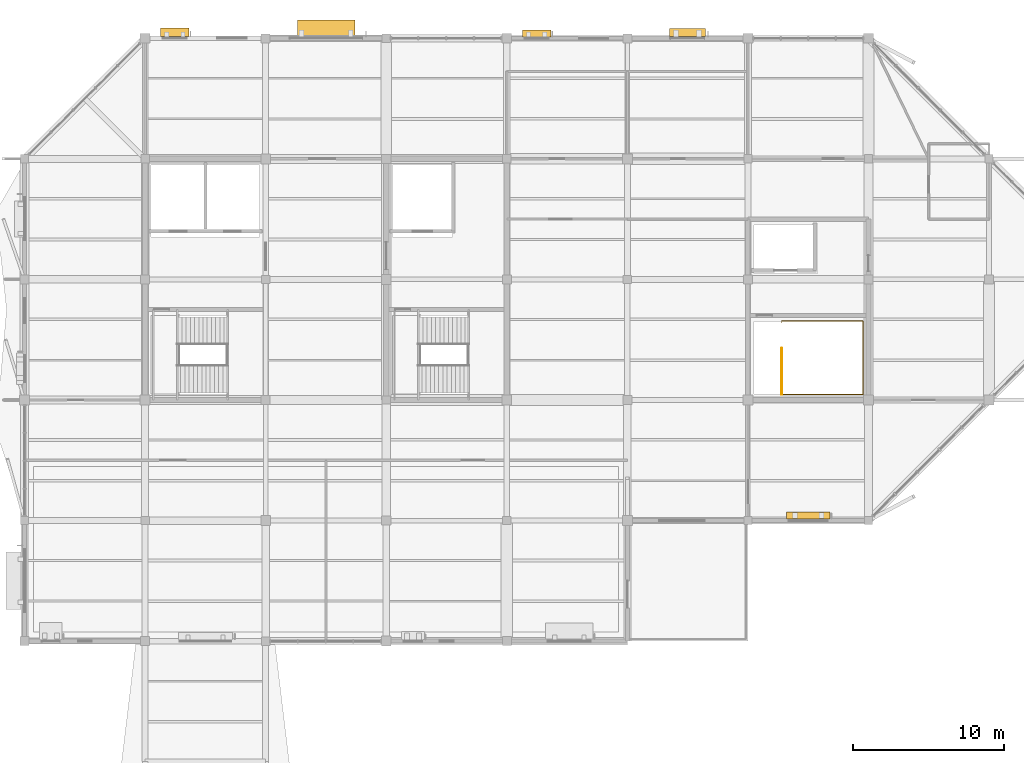
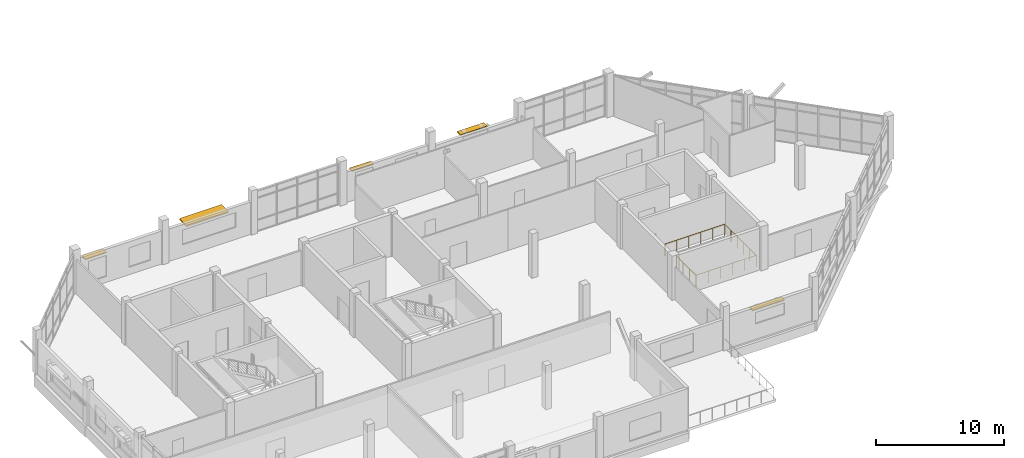
# One storey, part 72 of 72: 5 shading devices, 2 railings.
"""IFC4 building model written with IfcOpenShell, lengths in metres."""

from ifc_helpers import new_model, si_unit, direction, frame, origin, origin_2d, place, context, subcontext, project, spatial, rectangle, circle, extrude, material, layer, layer_set, type_object, element, save


model = new_model("IFC4")

# Units and contexts
model_context = context("Model", 3, precision=1e-05, world=origin(), true_north=direction((0.0, 1.0)))
body_context = subcontext(model_context, "Body", "Model", "MODEL_VIEW")
ifc_project = project(units=[si_unit("LENGTHUNIT", "METRE"), si_unit("AREAUNIT", "SQUARE_METRE"), si_unit("VOLUMEUNIT", "CUBIC_METRE"), si_unit("PLANEANGLEUNIT", "RADIAN"), si_unit("MASSUNIT", "GRAM", prefix="KILO")], contexts=[model_context])

# Site, building, storey
site_placement = place(None, origin())
site = spatial("IfcSite", under=ifc_project, at=site_placement, CompositionType="ELEMENT")
building_placement = place(site_placement, origin())
building = spatial("IfcBuilding", under=site, at=building_placement, Name="Tenunan Teduh Sports Hall", CompositionType="ELEMENT")
storey_placement = place(building_placement, frame((0.0, 0.0, 15.0)))
storey = spatial("IfcBuildingStorey", under=building, at=storey_placement, Name="L03", CompositionType="ELEMENT", Elevation=15.0)

# Railings
ifc_material_1 = material(Name="Galvanised and powder-coated steel", Category="steel")
ifc_layer = layer(ifc_material_1, 0.070068359375)
ifc_layer_set = layer_set([ifc_layer], Name="Galvanised and powder-coated steel")
railing_type = type_object("IfcRailingType", Name="RLG-EXT-GRD", PredefinedType="GUARDRAIL", material=ifc_layer_set)
railing_1_placement = place(storey_placement, frame((56.239990234375, 94.360107421875, 0.0)))
element("IfcRailing", 1, at=railing_1_placement, inside=storey, type_object=railing_type, Name="RLG-STW-WLND-W3-L02", PredefinedType="GUARDRAIL", context=body_context, shape_type="SweptSolid", body=[
    extrude(circle(Radius=0.02392578125, at=origin_2d()), frame((0.0, 0.0, 1.09619140625), z_axis=(0.0, 1.0, 0.0), x_axis=(-1.0, 0.0, 0.0)), (0.0, 0.0, 1.0), 3.06982421875),
    extrude(circle(Radius=0.02099609375, at=origin_2d()), origin(), (0.0, 0.0, 1.0), 1.072021484375),
    extrude(circle(Radius=0.02099609375, at=origin_2d()), frame((0.0, 1.023193359375, 0.0)), (0.0, 0.0, 1.0), 1.072021484375),
    extrude(circle(Radius=0.02099609375, at=origin_2d()), frame((0.0, 2.046630859375, 0.0)), (0.0, 0.0, 1.0), 1.072021484375),
    extrude(circle(Radius=0.02099609375, at=origin_2d()), frame((0.0, 3.06982421875, 0.0)), (0.0, 0.0, 1.0), 1.072021484375),
])
railing_2_placement = place(storey_placement, frame((56.239990234375, 94.360107421875, 0.0)))
element("IfcRailing", 2, at=railing_2_placement, inside=storey, type_object=railing_type, Name="RLG-STW-TOP-W3-L03", PredefinedType="GUARDRAIL", context=body_context, shape_type="SweptSolid", body=[
    extrude(circle(Radius=0.02392578125, at=origin_2d()), frame((0.0, 0.0, 1.09619140625), z_axis=(1.0, 0.0, 0.0), x_axis=(0.0, 1.0, 0.0)), (0.0, 0.0, 1.0), 5.39990234375),
    extrude(circle(Radius=0.02392578125, at=origin_2d()), frame((5.39990234375, 0.0, 1.09619140625), z_axis=(0.0, 1.0, 0.0), x_axis=(-1.0, 0.0, 0.0)), (0.0, 0.0, 1.0), 4.8798828125),
    extrude(circle(Radius=0.02392578125, at=origin_2d()), frame((5.39990234375, 4.8798828125, 1.09619140625), z_axis=(-1.0, 0.0, 0.0), x_axis=(0.0, -1.0, 0.0)), (0.0, 0.0, 1.0), 5.39990234375),
    extrude(circle(Radius=0.02392578125, at=origin_2d()), frame((0.0, 4.8798828125, 1.09619140625), z_axis=(0.0, -1.0, 0.0), x_axis=(1.0, 0.0, 0.0)), (0.0, 0.0, 1.0), 0.110107421875),
    extrude(circle(Radius=0.02099609375, at=origin_2d()), origin(), (0.0, 0.0, 1.0), 1.072021484375),
    extrude(circle(Radius=0.02099609375, at=origin_2d()), frame((1.080078125, 0.0, 0.0)), (0.0, 0.0, 1.0), 1.072021484375),
    extrude(circle(Radius=0.02099609375, at=origin_2d()), frame((2.159912109375, 0.0, 0.0)), (0.0, 0.0, 1.0), 1.072021484375),
    extrude(circle(Radius=0.02099609375, at=origin_2d()), frame((3.239990234375, 0.0, 0.0)), (0.0, 0.0, 1.0), 1.072021484375),
    extrude(circle(Radius=0.02099609375, at=origin_2d()), frame((4.31982421875, 0.0, 0.0)), (0.0, 0.0, 1.0), 1.072021484375),
    extrude(circle(Radius=0.02099609375, at=origin_2d()), frame((5.39990234375, 0.0, 0.0)), (0.0, 0.0, 1.0), 1.072021484375),
    extrude(circle(Radius=0.02099609375, at=origin_2d()), frame((5.39990234375, 0.97607421875, 0.0)), (0.0, 0.0, 1.0), 1.072021484375),
    extrude(circle(Radius=0.02099609375, at=origin_2d()), frame((5.39990234375, 1.951904296875, 0.0)), (0.0, 0.0, 1.0), 1.072021484375),
    extrude(circle(Radius=0.02099609375, at=origin_2d()), frame((5.39990234375, 2.927978515625, 0.0)), (0.0, 0.0, 1.0), 1.072021484375),
    extrude(circle(Radius=0.02099609375, at=origin_2d()), frame((5.39990234375, 3.90380859375, 0.0)), (0.0, 0.0, 1.0), 1.072021484375),
    extrude(circle(Radius=0.02099609375, at=origin_2d()), frame((5.39990234375, 4.8798828125, 0.0)), (0.0, 0.0, 1.0), 1.072021484375),
    extrude(circle(Radius=0.02099609375, at=origin_2d()), frame((4.31982421875, 4.8798828125, 0.0)), (0.0, 0.0, 1.0), 1.072021484375),
    extrude(circle(Radius=0.02099609375, at=origin_2d()), frame((3.239990234375, 4.8798828125, 0.0)), (0.0, 0.0, 1.0), 1.072021484375),
    extrude(circle(Radius=0.02099609375, at=origin_2d()), frame((2.159912109375, 4.8798828125, 0.0)), (0.0, 0.0, 1.0), 1.072021484375),
    extrude(circle(Radius=0.02099609375, at=origin_2d()), frame((1.080078125, 4.8798828125, 0.0)), (0.0, 0.0, 1.0), 1.072021484375),
    extrude(circle(Radius=0.02099609375, at=origin_2d()), frame((0.0, 4.8798828125, 0.0)), (0.0, 0.0, 1.0), 1.072021484375),
    extrude(circle(Radius=0.02099609375, at=origin_2d()), frame((0.0, 4.769775390625, 0.0)), (0.0, 0.0, 1.0), 1.072021484375),
])

# Shading devices
ifc_material_2 = material(Name="Perforated anodised aluminium", Category="aluminium")
shading_device_type_1 = type_object("IfcShadingDeviceType", Name="SHD-LOUVRE-1", PredefinedType="AWNING", material=ifc_material_2)
shading_device_1_placement = place(storey_placement, frame((58.0048828125, 86.340087890625, 2.570068359375), z_axis=(0.0, 0.0, 1.0), x_axis=(1.0, 0.0, 0.0)))
element("IfcShadingDevice", 3, at=shading_device_1_placement, inside=storey, type_object=shading_device_type_1, Name="SHD-L03-057", PredefinedType="AWNING", context=body_context, shape_type="SweptSolid", body=[
    extrude(rectangle(XDim=2.89990234375, YDim=0.449951171875, at=origin_2d()), origin(), (0.0, 0.0, 1.0), 0.080078125),
])
shading_device_2_placement = place(storey_placement, frame((39.97509765625, 118.324951171875, 2.570068359375), z_axis=(0.0, 0.0, 1.0), x_axis=(1.0, 0.0, 0.0)))
element("IfcShadingDevice", 4, at=shading_device_2_placement, inside=storey, type_object=shading_device_type_1, Name="SHD-L03-060", PredefinedType="AWNING", context=body_context, shape_type="SweptSolid", body=[
    extrude(rectangle(XDim=1.89990234375, YDim=0.449951171875, at=origin_2d()), origin(), (0.0, 0.0, 1.0), 0.080078125),
])
ifc_material_3 = material(Name="Perforated anodised aluminium", Category="aluminium")
shading_device_type_2 = type_object("IfcShadingDeviceType", Name="SHD-LOUVRE-2", PredefinedType="SHUTTER", material=ifc_material_3)
shading_device_3_placement = place(storey_placement, frame((15.97509765625, 118.39501953125, 2.56494140625), z_axis=(0.0, 0.0, 1.0), x_axis=(1.0, 0.0, 0.0)))
element("IfcShadingDevice", 5, at=shading_device_3_placement, inside=storey, type_object=shading_device_type_2, Name="SHD-L03-058", PredefinedType="SHUTTER", context=body_context, shape_type="SweptSolid", body=[
    extrude(rectangle(XDim=1.89990234375, YDim=0.550048828125, at=origin_2d()), origin(), (0.0, 0.0, 1.0), 0.090087890625),
])
shading_device_4_placement = place(storey_placement, frame((49.985107421875, 118.389892578125, 2.56494140625), z_axis=(0.0, 0.0, 1.0), x_axis=(1.0, 0.0, 0.0)))
element("IfcShadingDevice", 6, at=shading_device_4_placement, inside=storey, type_object=shading_device_type_2, Name="SHD-L03-061", PredefinedType="SHUTTER", context=body_context, shape_type="SweptSolid", body=[
    extrude(rectangle(XDim=2.39990234375, YDim=0.550048828125, at=origin_2d()), origin(), (0.0, 0.0, 1.0), 0.090087890625),
])
ifc_material_4 = material(Name="Perforated anodised aluminium", Category="aluminium")
shading_device_type_3 = type_object("IfcShadingDeviceType", Name="SHD-SUNSHADE-1", PredefinedType="JALOUSIE", material=ifc_material_4)
shading_device_5_placement = place(storey_placement, frame((26.010009765625, 118.6650390625, 2.550048828125), z_axis=(0.0, 0.0, 1.0), x_axis=(1.0, 0.0, 0.0)))
element("IfcShadingDevice", 7, at=shading_device_5_placement, inside=storey, type_object=shading_device_type_3, Name="SHD-L03-059", PredefinedType="JALOUSIE", context=body_context, shape_type="SweptSolid", body=[
    extrude(rectangle(XDim=3.800048828125, YDim=1.10009765625, at=origin_2d()), origin(), (0.0, 0.0, 1.0), 0.1201171875),
])

save(model, "model.ifc")
